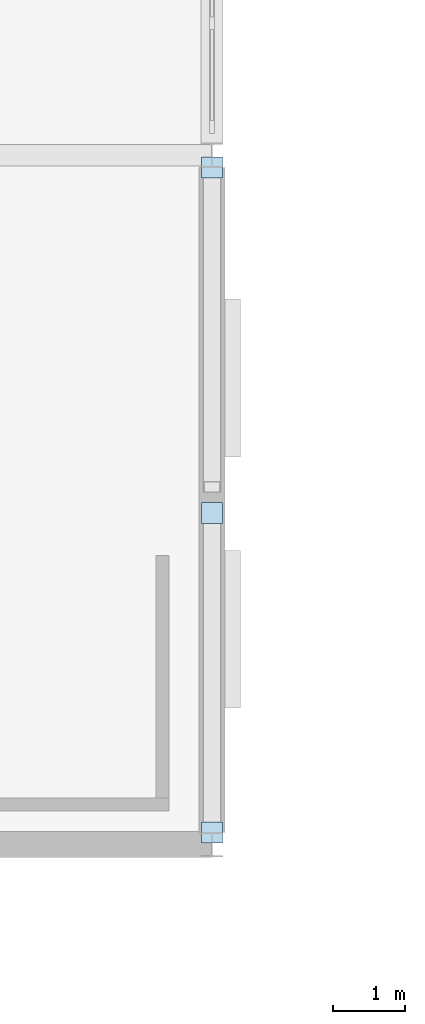
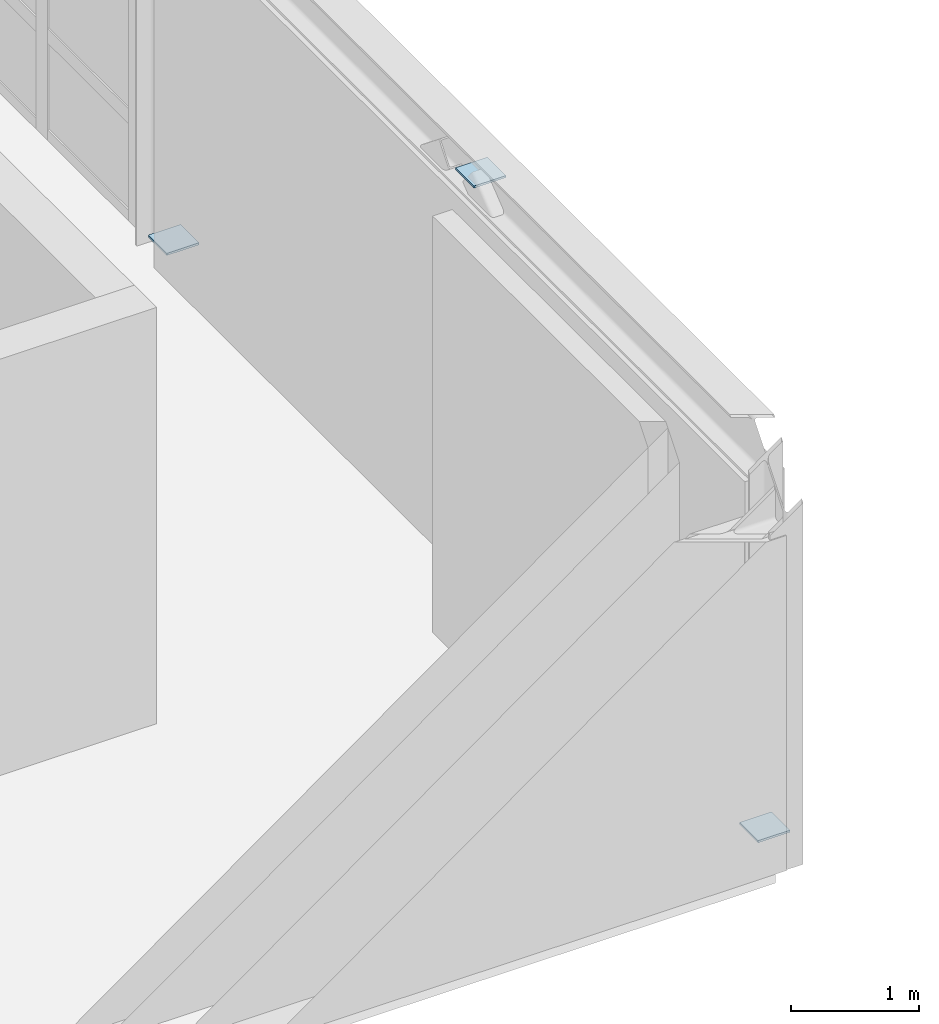
# One storey, part 59 of 76: 3 plates.
"""IFC4 building model written with IfcOpenShell, lengths in metres."""

from ifc_helpers import new_model, si_unit, direction, frame, origin, origin_2d, place, context, subcontext, project, spatial, rectangle, extrude, material, layer, layer_set, type_object, element, save


model = new_model("IFC4")

# Units and contexts
model_context = context("Model", 3, precision=1e-05, world=origin(), true_north=direction((0.0, 1.0)))
body_context = subcontext(model_context, "Body", "Model", "MODEL_VIEW")
ifc_project = project(units=[si_unit("LENGTHUNIT", "METRE"), si_unit("AREAUNIT", "SQUARE_METRE"), si_unit("VOLUMEUNIT", "CUBIC_METRE"), si_unit("PLANEANGLEUNIT", "RADIAN"), si_unit("MASSUNIT", "GRAM", prefix="KILO")], contexts=[model_context])

# Site, building, storey
site_placement = place(None, origin())
site = spatial("IfcSite", under=ifc_project, at=site_placement, CompositionType="ELEMENT")
building_placement = place(site_placement, origin())
building = spatial("IfcBuilding", under=site, at=building_placement, Name="Nordkorset Police Headquarters", CompositionType="ELEMENT")
storey_placement = place(building_placement, frame((0.0, 0.0, 13.64990234375)))
storey = spatial("IfcBuildingStorey", under=building, at=storey_placement, Name="L03", CompositionType="ELEMENT", Elevation=13.64990234375)

# Plates
ifc_material = material(Name="Steel S355J2", Category="steel")
ifc_layer = layer(ifc_material, 0.02001953125, Name="Steel S355J2")
ifc_layer_set = layer_set([ifc_layer], Name="Steel S355J2")
plate_type = type_object("IfcPlateType", Name="SteelPlate_20mm", PredefinedType="SHEET", material=ifc_layer_set)
for number, where, z_axis, x_axis, name in (
    (1, (115.199951171875, 48.169921875, 0.190185546875), (0.0, 0.0, 1.0), (1.0, 0.0, 0.0), "Hollow Section End Cap Plate BF-EXT-V5E0-L03-D1-0"),
    (2, (115.199951171875, 52.6201171875, 3.75), (0.0, 0.0, 1.0), (1.0, 0.0, 0.0), "Hollow Section End Cap Plate BF-EXT-V5E0-L03-D1-1"),
    (3, (115.199951171875, 57.429931640625, 0.190185546875), (0.0, 0.0, 1.0), (1.0, 0.0, 0.0), "Hollow Section End Cap Plate BF-EXT-V5E0-L03-D2-0"),
):
    element("IfcPlate", number, at=place(storey_placement, frame(where, z_axis=z_axis, x_axis=x_axis)), inside=storey, type_object=plate_type, Name=name, PredefinedType="SHEET", context=body_context, shape_type="SweptSolid", body=[
        extrude(rectangle(XDim=0.2900390625, YDim=0.2900390625, at=origin_2d()), origin(), (0.0, 0.0, 1.0), 0.02001953125),
    ])

save(model, "model.ifc")
